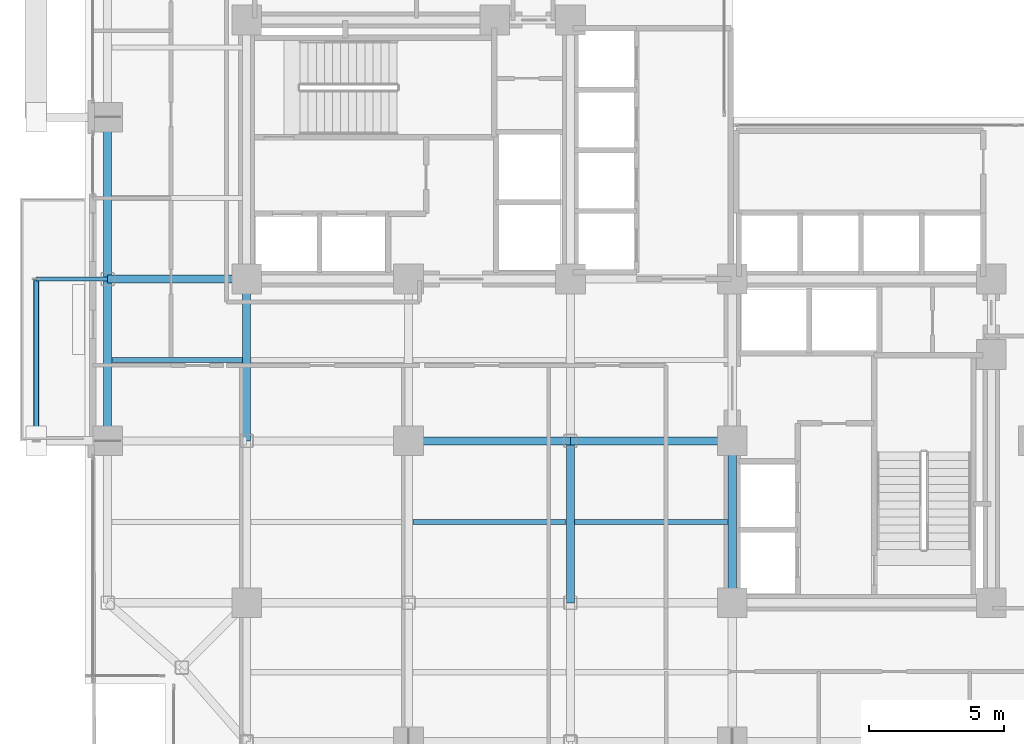
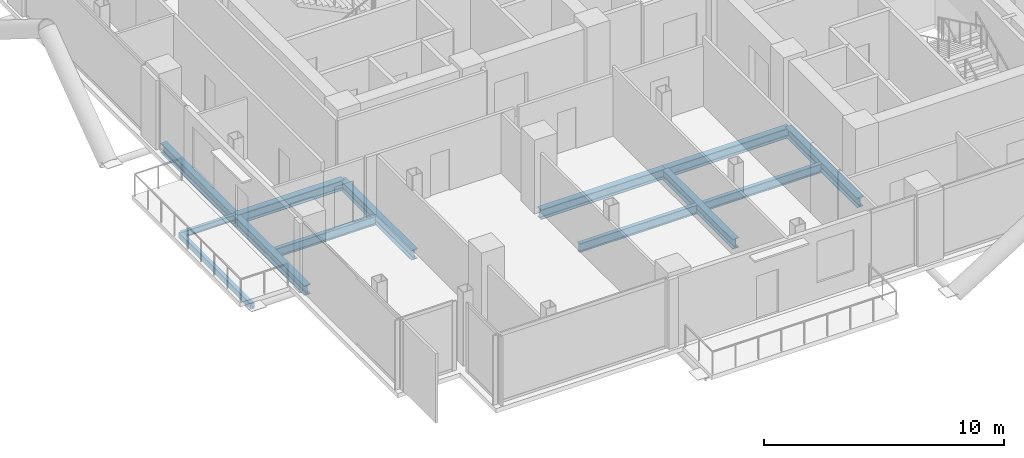
# One storey, part 5 of 26: 13 beams.
"""IFC4 building model written with IfcOpenShell, lengths in metres."""

from ifc_helpers import new_model, si_unit, direction, frame, origin, origin_2d, place, context, subcontext, project, spatial, hollow_rectangle, i_section, extrude, material, material_profile, profile_set, type_object, element, save


model = new_model("IFC4")

# Units and contexts
model_context = context("Model", 3, precision=1e-05, world=origin(), true_north=direction((0.0, 1.0)))
body_context = subcontext(model_context, "Body", "Model", "MODEL_VIEW")
ifc_project = project(units=[si_unit("LENGTHUNIT", "METRE"), si_unit("AREAUNIT", "SQUARE_METRE"), si_unit("VOLUMEUNIT", "CUBIC_METRE"), si_unit("PLANEANGLEUNIT", "RADIAN"), si_unit("MASSUNIT", "GRAM", prefix="KILO"), si_unit("THERMODYNAMICTEMPERATUREUNIT", "KELVIN"), si_unit("POWERUNIT", "WATT")], contexts=[model_context])

# Site, building, storey
site_placement = place(None, origin())
site = spatial("IfcSite", under=ifc_project, at=site_placement, CompositionType="ELEMENT")
building_placement = place(site_placement, origin())
building = spatial("IfcBuilding", under=site, at=building_placement, Name="Svarakhadi Broadcast Tower", CompositionType="ELEMENT")
storey_placement = place(building_placement, frame((0.0, 0.0, 99.60009765625)))
storey = spatial("IfcBuildingStorey", under=building, at=storey_placement, Name="L23", CompositionType="ELEMENT", Elevation=99.60009765625)

# Beams
ifc_material_1 = material(Name="Steel S355J2 (IS 2062 E350C)", Category="steel")
ifc_material_profile_1 = material_profile(ifc_material_1, i_section(OverallWidth=0.18994140625, OverallDepth=0.449951171875, WebThickness=0.009521484375, FlangeThickness=0.0146484375, FilletRadius=0.02099609375, at=origin_2d()), Name="NPB 450x190x78")
ifc_profile_set_1 = profile_set([ifc_material_profile_1], Name="Steel S355J2 (IS 2062 E350C)")
beam_type_1 = type_object("IfcBeamType", Name="Beam_NPB450", PredefinedType="BEAM", material=ifc_profile_set_1)
beam_1_placement = place(storey_placement, frame((1.010009765625, 15.0, -0.4501953125), z_axis=(1.0, 0.0, 0.0), x_axis=(0.0, 1.0, 0.0)))
element("IfcBeam", 1, at=beam_1_placement, inside=storey, type_object=beam_type_1, Name="L23 Secondary Composite Beam SB002", PredefinedType="BEAM", context=body_context, shape_type="SweptSolid", body=[
    extrude(i_section(OverallWidth=0.18994140625, OverallDepth=0.449951171875, WebThickness=0.009521484375, FlangeThickness=0.0146484375, FilletRadius=0.02099609375, at=origin_2d()), origin(), (0.0, 0.0, 1.0), 4.830078125),
])
for number, where, z_axis, x_axis, name in (
    (2, (12.159912109375, 9.0, -0.4501953125), (1.0, 0.0, 0.0), (0.0, 1.0, 0.0), "L23 Secondary Composite Beam SB013"),
    (3, (18.159912109375, 9.0, -0.4501953125), (1.0, 0.0, 0.0), (0.0, 1.0, 0.0), "L23 Secondary Composite Beam SB018"),
):
    element("IfcBeam", number, at=place(storey_placement, frame(where, z_axis=z_axis, x_axis=x_axis)), inside=storey, type_object=beam_type_1, Name=name, PredefinedType="BEAM", context=body_context, shape_type="SweptSolid", body=[
        extrude(i_section(OverallWidth=0.18994140625, OverallDepth=0.449951171875, WebThickness=0.009521484375, FlangeThickness=0.0146484375, FilletRadius=0.02099609375, at=origin_2d()), origin(), (0.0, 0.0, 1.0), 5.68017578125),
    ])
ifc_material_profile_2 = material_profile(ifc_material_1, i_section(OverallWidth=0.300048828125, OverallDepth=0.5, WebThickness=0.014404296875, FlangeThickness=0.028076171875, FilletRadius=0.027099609375, at=origin_2d()), Name="WPB 500x300x187")
ifc_profile_set_2 = profile_set([ifc_material_profile_2], Name="Steel S355J2 (IS 2062 E350C)")
beam_type_2 = type_object("IfcBeamType", Name="Girder_WPB500", PredefinedType="USERDEFINED", material=ifc_profile_set_2)
for number, where, z_axis, x_axis, name in (
    (4, (12.0, 12.0, -0.47509765625), (1.0, 0.0, 0.0), (0.0, 1.0, 0.0), "L23 Primary E-W Girder G020"),
    (5, (18.0, 12.0, -0.47509765625), (1.0, 0.0, 0.0), (0.0, 1.0, 0.0), "L23 Primary E-W Girder G021"),
):
    element("IfcBeam", number, at=place(storey_placement, frame(where, z_axis=z_axis, x_axis=x_axis)), inside=storey, type_object=beam_type_2, Name=name, ObjectType="GIRDER", PredefinedType="USERDEFINED", context=body_context, shape_type="SweptSolid", body=[
        extrude(i_section(OverallWidth=0.300048828125, OverallDepth=0.5, WebThickness=0.014404296875, FlangeThickness=0.028076171875, FilletRadius=0.027099609375, at=origin_2d()), origin(), (0.0, 0.0, 1.0), 6.0),
    ])
beam_2_placement = place(storey_placement, frame((0.85009765625, 18.0, -0.47509765625), z_axis=(1.0, 0.0, 0.0), x_axis=(0.0, 1.0, 0.0)))
element("IfcBeam", 6, at=beam_2_placement, inside=storey, type_object=beam_type_2, Name="L23 Primary E-W Girder G024", ObjectType="GIRDER", PredefinedType="USERDEFINED", context=body_context, shape_type="SweptSolid", body=[
    extrude(i_section(OverallWidth=0.300048828125, OverallDepth=0.5, WebThickness=0.014404296875, FlangeThickness=0.028076171875, FilletRadius=0.027099609375, at=origin_2d()), origin(), (0.0, 0.0, 1.0), 5.14990234375),
])
for number, where, z_axis, x_axis, name in (
    (7, (0.85009765625, 12.0, -0.47509765625), (0.0, 1.0, 0.0), (-1.0, 0.0, 0.0), "L23 Primary N-S Girder G043"),
    (8, (0.85009765625, 18.0, -0.47509765625), (0.0, 1.0, 0.0), (-1.0, 0.0, 0.0), "L23 Primary N-S Girder G044"),
    (9, (6.0, 12.0, -0.47509765625), (0.0, 1.0, 0.0), (-1.0, 0.0, 0.0), "L23 Primary N-S Girder G050"),
    (10, (18.0, 6.0, -0.47509765625), (0.0, 1.0, 0.0), (-1.0, 0.0, 0.0), "L23 Primary N-S Girder G060"),
    (11, (24.0, 6.0, -0.47509765625), (0.0, 1.0, 0.0), (-1.0, 0.0, 0.0), "L23 Primary N-S Girder G066"),
):
    element("IfcBeam", number, at=place(storey_placement, frame(where, z_axis=z_axis, x_axis=x_axis)), inside=storey, type_object=beam_type_2, Name=name, ObjectType="GIRDER", PredefinedType="USERDEFINED", context=body_context, shape_type="SweptSolid", body=[
        extrude(i_section(OverallWidth=0.300048828125, OverallDepth=0.5, WebThickness=0.014404296875, FlangeThickness=0.028076171875, FilletRadius=0.027099609375, at=origin_2d()), origin(), (0.0, 0.0, 1.0), 6.0),
    ])
ifc_material_profile_3 = material_profile(ifc_material_1, i_section(OverallWidth=0.14990234375, OverallDepth=0.300048828125, WebThickness=0.007080078125, FlangeThickness=0.0107421875, FilletRadius=0.014892578125, at=origin_2d()), Name="NPB 300x150x37")
ifc_profile_set_3 = profile_set([ifc_material_profile_3], Name="Steel S355J2 (IS 2062 E350C)")
beam_type_3 = type_object("IfcBeamType", Name="Spandrel_NPB300", PredefinedType="SPANDREL", material=ifc_profile_set_3)
beam_3_placement = place(storey_placement, frame((0.85009765625, 18.0, -0.375), z_axis=(-1.0, 0.0, 0.0), x_axis=(0.0, -1.0, 0.0)))
element("IfcBeam", 12, at=beam_3_placement, inside=storey, type_object=beam_type_3, Name="L23 Balcony Cantilever Bracket 2B", PredefinedType="SPANDREL", context=body_context, shape_type="SweptSolid", body=[
    extrude(i_section(OverallWidth=0.14990234375, OverallDepth=0.300048828125, WebThickness=0.007080078125, FlangeThickness=0.0107421875, FilletRadius=0.014892578125, at=origin_2d()), origin(), (0.0, 0.0, 1.0), 2.650146484375),
])
ifc_material_2 = material(Name="Steel S460ML (IS 2062 E450BR)", Category="steel")
ifc_material_profile_4 = material_profile(ifc_material_2, hollow_rectangle(XDim=0.199951171875, YDim=0.300048828125, WallThickness=0.012451171875, InnerFilletRadius=0.012451171875, OuterFilletRadius=0.02490234375, at=origin_2d()), Name="RHS 300x200x12.5")
ifc_profile_set_4 = profile_set([ifc_material_profile_4], Name="Steel S460ML (IS 2062 E450BR)")
beam_type_4 = type_object("IfcBeamType", Name="Spandrel_RHS300", PredefinedType="SPANDREL", material=ifc_profile_set_4)
beam_4_placement = place(storey_placement, frame((-1.800048828125, 12.0, -0.375), z_axis=(0.0, 1.0, 0.0), x_axis=(-1.0, 0.0, 0.0)))
element("IfcBeam", 13, at=beam_4_placement, inside=storey, type_object=beam_type_4, Name="L23 Balcony Outer Spandrel 2F", PredefinedType="SPANDREL", context=body_context, shape_type="SweptSolid", body=[
    extrude(hollow_rectangle(XDim=0.199951171875, YDim=0.300048828125, WallThickness=0.012451171875, InnerFilletRadius=0.012451171875, OuterFilletRadius=0.02490234375, at=origin_2d()), origin(), (0.0, 0.0, 1.0), 6.0),
])

save(model, "model.ifc")
